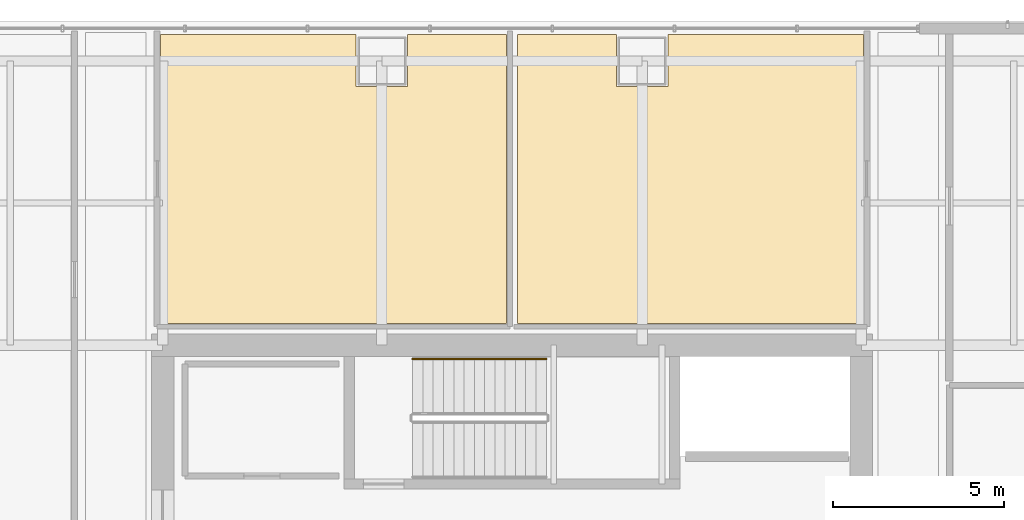
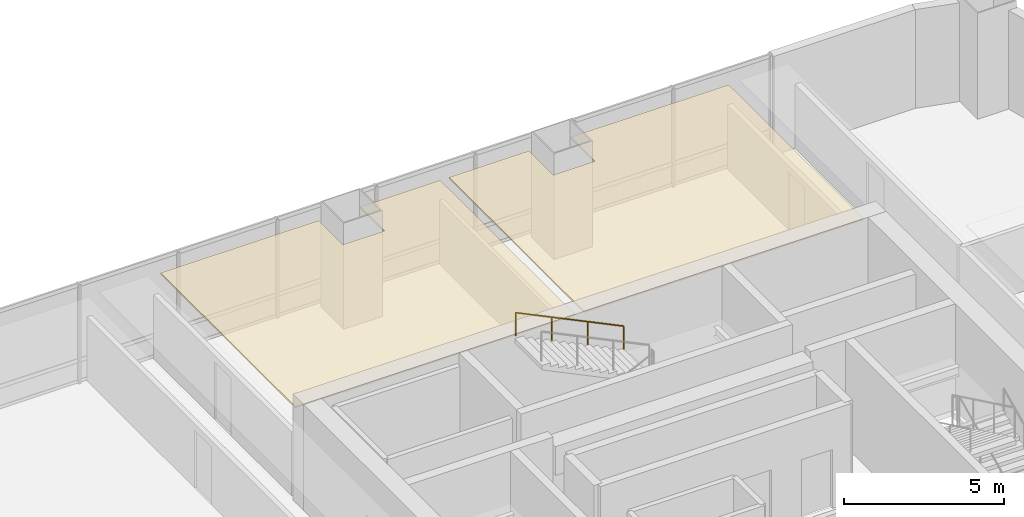
# One storey, part 45 of 46: 2 coverings, 1 railing.
"""IFC4 building model written with IfcOpenShell, lengths in metres."""

from ifc_helpers import new_model, si_unit, direction, frame, origin, origin_2d, place, context, subcontext, project, spatial, polyline, circle, outline, extrude, material, layer, layer_set, type_object, element, save


model = new_model("IFC4")

# Units and contexts
model_context = context("Model", 3, precision=1e-05, world=origin(), true_north=direction((0.0, 1.0)))
body_context = subcontext(model_context, "Body", "Model", "MODEL_VIEW")
ifc_project = project(units=[si_unit("LENGTHUNIT", "METRE"), si_unit("AREAUNIT", "SQUARE_METRE"), si_unit("VOLUMEUNIT", "CUBIC_METRE"), si_unit("PLANEANGLEUNIT", "RADIAN"), si_unit("MASSUNIT", "GRAM", prefix="KILO")], contexts=[model_context])

# Site, building, storey
site_placement = place(None, origin())
site = spatial("IfcSite", under=ifc_project, at=site_placement, CompositionType="ELEMENT")
building_placement = place(site_placement, origin())
building = spatial("IfcBuilding", under=site, at=building_placement, Name="Punatoya Terracotta Tower", CompositionType="ELEMENT")
storey_placement = place(building_placement, frame((0.0, 0.0, 200.550048828125)))
storey = spatial("IfcBuildingStorey", under=building, at=storey_placement, Name="L47", CompositionType="ELEMENT", Elevation=200.550048828125)

# Coverings
ifc_material_1 = material(Name="Acoustic Mineral Fibre Ceiling")
ifc_layer = layer(ifc_material_1, 0.06005859375)
ifc_layer_set = layer_set([ifc_layer], Name="Acoustic Mineral Fibre Ceiling")
covering_type = type_object("IfcCoveringType", Name="COV-CEIL-60", PredefinedType="CEILING", material=ifc_layer_set)
covering_1_placement = place(storey_placement, frame((0.0, 0.0, 3.219970703125)))
element("IfcCovering", 1, at=covering_1_placement, inside=storey, type_object=covering_type, Name="L47 Open-Plan Hydrology Modelling Laboratory Acoustic Ceiling", PredefinedType="CEILING", context=body_context, shape_type="SweptSolid", body=[
    extrude(outline(polyline([(-10.260009765625, 18.27001953125), (-10.260009765625, 9.840087890625), (-0.159912109375, 9.840087890625), (-0.159912109375, 18.27001953125), (-3.050048828125, 18.27001953125), (-3.050048828125, 16.75), (-4.550048828125, 16.75), (-4.550048828125, 18.27001953125), (-10.260009765625, 18.27001953125)])), origin(), (0.0, 0.0, 1.0), 0.06005859375),
])
covering_2_placement = place(storey_placement, frame((0.0, 0.0, 3.219970703125)))
element("IfcCovering", 2, at=covering_2_placement, inside=storey, type_object=covering_type, Name="L47 Open-Plan Urban Analytics Laboratory Acoustic Ceiling", PredefinedType="CEILING", context=body_context, shape_type="SweptSolid", body=[
    extrude(outline(polyline([(3.050048828125, 18.27001953125), (0.159912109375, 18.27001953125), (0.159912109375, 9.840087890625), (10.260009765625, 9.840087890625), (10.260009765625, 18.27001953125), (4.550048828125, 18.27001953125), (4.550048828125, 16.75), (3.050048828125, 16.75), (3.050048828125, 18.27001953125)])), origin(), (0.0, 0.0, 1.0), 0.06005859375),
])

# Railing
ifc_material_2 = material(Name="Steel S355", Category="steel")
railing_type = type_object("IfcRailingType", Name="RLG-HND-900", PredefinedType="HANDRAIL", material=ifc_material_2)
railing_placement = place(storey_placement, frame((1.0, 8.800048828125, 2.169677734375)))
element("IfcRailing", 3, at=railing_placement, inside=storey, type_object=railing_type, Name="L47 ST-3 stair handrail 2", PredefinedType="HANDRAIL", context=body_context, shape_type="SweptSolid", body=[
    extrude(circle(Radius=0.02392578125, at=origin_2d()), frame((0.0, 0.0, 0.8759765625), z_axis=(-0.900763166376, 0.0, 0.434310623978), x_axis=(0.0, -1.0, 0.0)), (0.0, 0.0, 1.0), 4.32958984375),
    extrude(circle(Radius=0.02099609375, at=origin_2d()), origin(), (0.0, 0.0, 1.0), 0.851806640625),
    extrude(circle(Radius=0.02099609375, at=origin_2d()), frame((-1.300048828125, 0.0, 0.626708984375)), (0.0, 0.0, 1.0), 0.851806640625),
    extrude(circle(Radius=0.02099609375, at=origin_2d()), frame((-2.599853515625, 0.0, 1.253662109375)), (0.0, 0.0, 1.0), 0.851806640625),
    extrude(circle(Radius=0.02099609375, at=origin_2d()), frame((-3.89990234375, 0.0, 1.88037109375)), (0.0, 0.0, 1.0), 0.851806640625),
])

save(model, "model.ifc")
